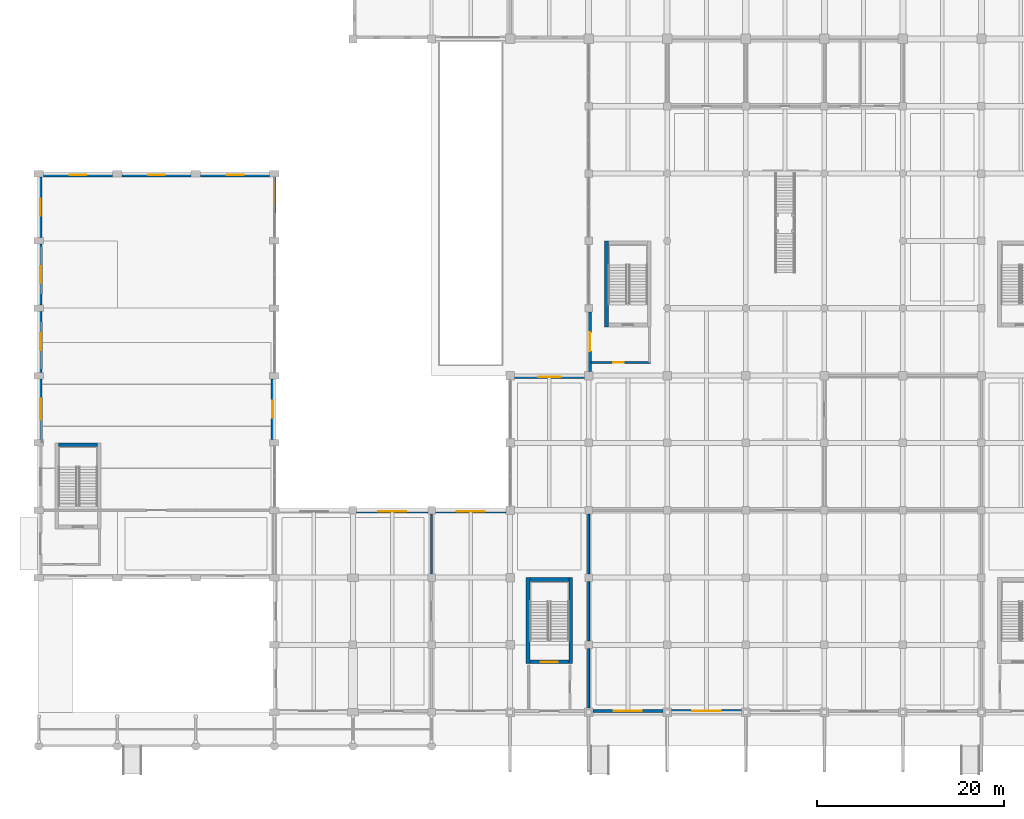
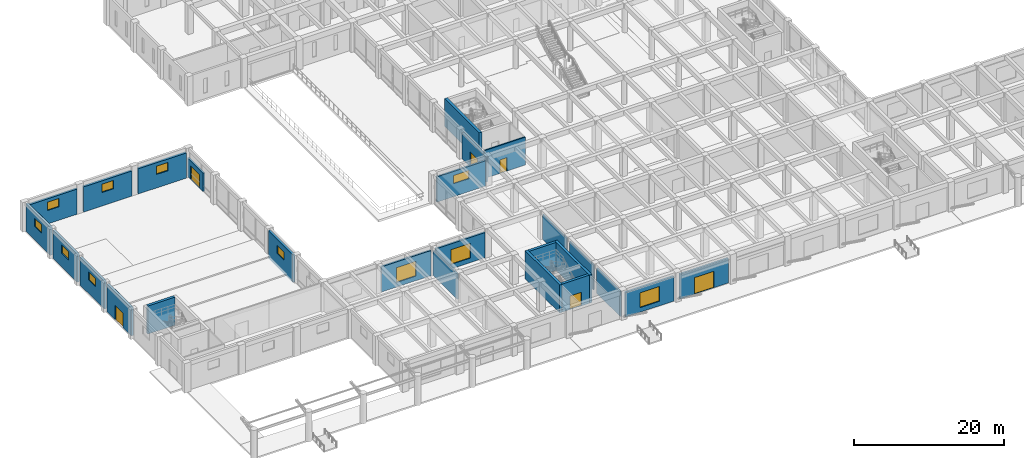
# One storey, part 26 of 49: 26 walls, 11 windows, 6 doors, 17 openings.
"""IFC4 building model written with IfcOpenShell, lengths in metres."""

from ifc_helpers import new_model, si_unit, direction, frame, frame_2d, origin, place, context, subcontext, project, spatial, rectangle, extrude, material, layer, layer_set, type_object, element, fill, save


model = new_model("IFC4")

# Units and contexts
model_context = context("Model", 3, precision=1e-05, world=origin(), true_north=direction((0.0, 1.0)))
body_context = subcontext(model_context, "Body", "Model", "MODEL_VIEW")
ifc_project = project(units=[si_unit("LENGTHUNIT", "METRE"), si_unit("AREAUNIT", "SQUARE_METRE"), si_unit("VOLUMEUNIT", "CUBIC_METRE"), si_unit("PLANEANGLEUNIT", "RADIAN"), si_unit("MASSUNIT", "GRAM", prefix="KILO")], contexts=[model_context])

# Site, building, storey
site_placement = place(None, origin())
site = spatial("IfcSite", under=ifc_project, at=site_placement, CompositionType="ELEMENT")
building_placement = place(site_placement, origin())
building = spatial("IfcBuilding", under=site, at=building_placement, Name="Kenerak Square Central Library", CompositionType="ELEMENT")
storey_placement = place(building_placement, origin())
storey = spatial("IfcBuildingStorey", under=building, at=storey_placement, Name="L00", CompositionType="ELEMENT", Elevation=0.0)

# Wall, opening, door
ifc_material_1 = material(Name="Concrete C40/50", Category="concrete")
ifc_layer_1 = layer(ifc_material_1, 0.35009765625)
ifc_layer_set_1 = layer_set([ifc_layer_1], Name="Concrete C40/50")
wall_type_1 = type_object("IfcWallType", Name="Auditorium Fluted Acoustic Wall AW-350 C40/50", PredefinedType="SOLIDWALL", material=ifc_layer_set_1)
wall_1_placement = place(storey_placement, frame((8.175048828125, 45.949951171875, 0.0), z_axis=(0.0, 0.0, 1.0), x_axis=(0.0, 1.0, 0.0)))
wall_1 = element("IfcWall", 1, at=wall_1_placement, inside=storey, type_object=wall_type_1, Name="Exterior Facade Wall L00 0097", PredefinedType="SOLIDWALL", context=body_context, shape_type="SweptSolid", body=[
    extrude(rectangle(XDim=6.5, YDim=0.35009765625, at=frame_2d((3.25, 0.0))), origin(), (0.0, 0.0, 1.0), 4.52490234375),
])
opening_1_placement = place(wall_1_placement, frame((2.14990234375, 0.0, 0.0)))
opening_1 = element("IfcOpeningElement", 2, at=opening_1_placement, cuts=wall_1, Name="Opening ED-03", PredefinedType="OPENING", context=body_context, shape_type="SweptSolid", body=[
    extrude(rectangle(XDim=2.199951171875, YDim=2.39990234375, at=frame_2d((1.10009765625, 1.199951171875))), frame((0.0, 0.18505859375, 0.0), z_axis=(0.0, -1.0, 0.0), x_axis=(1.0, 0.0, 0.0)), (0.0, 0.0, 1.0), 0.3701171875),
])
ifc_material_2 = material(Name="Anodised aluminium and laminated glass", Category="aluminium")
door_type_1 = type_object("IfcDoorType", Name="Auditorium Foyer Double Exit Door ED-2200x2400", OperationType="NOTDEFINED", PredefinedType="DOOR", material=ifc_material_2)
door_1_placement = place(opening_1_placement, origin())
door_1 = element("IfcDoor", 3, at=door_1_placement, inside=storey, type_object=door_type_1, Name="Exterior Entrance Door L00 016", OperationType="DOUBLE_DOOR_SINGLE_SWING", OverallHeight=2.39990234375, OverallWidth=2.199951171875, PredefinedType="DOOR", context=body_context, shape_type="SweptSolid", body=[
    extrude(rectangle(XDim=2.199951171875, YDim=2.39990234375, at=frame_2d((1.10009765625, 1.199951171875))), frame((0.0, 0.02490234375, 0.0), z_axis=(0.0, -1.0, 0.0), x_axis=(1.0, 0.0, 0.0)), (0.0, 0.0, 1.0), 0.050048828125),
])
fill(opening_1, door_1)

# Wall, opening, window
wall_2_placement = place(storey_placement, frame((8.175048828125, 53.14990234375, 0.0), z_axis=(0.0, 0.0, 1.0), x_axis=(0.0, 1.0, 0.0)))
wall_2 = element("IfcWall", 4, at=wall_2_placement, inside=storey, type_object=wall_type_1, Name="Exterior Facade Wall L00 0098", PredefinedType="SOLIDWALL", context=body_context, shape_type="SweptSolid", body=[
    extrude(rectangle(XDim=6.5, YDim=0.35009765625, at=frame_2d((3.25, 0.0))), origin(), (0.0, 0.0, 1.0), 4.52490234375),
])
opening_2_placement = place(wall_2_placement, frame((2.35009765625, 0.0, 2.199951171875)))
opening_2 = element("IfcOpeningElement", 5, at=opening_2_placement, cuts=wall_2, Name="Opening W-08", PredefinedType="OPENING", context=body_context, shape_type="SweptSolid", body=[
    extrude(rectangle(XDim=1.800048828125, YDim=1.35009765625, at=frame_2d((0.89990234375, 0.675048828125))), frame((0.0, 0.18505859375, 0.0), z_axis=(0.0, -1.0, 0.0), x_axis=(1.0, 0.0, 0.0)), (0.0, 0.0, 1.0), 0.3701171875),
])
ifc_material_3 = material(Name="Solar-control low-E laminated double glazing", Category="glass")
window_type_1 = type_object("IfcWindowType", Name="Acoustic Clerestory Window W-08 1800x1350", PartitioningType="SINGLE_PANEL", PredefinedType="WINDOW", material=ifc_material_3)
window_1_placement = place(opening_2_placement, origin())
window_1 = element("IfcWindow", 6, at=window_1_placement, inside=storey, type_object=window_type_1, Name="Window W-08 L00 0069", OverallHeight=1.35009765625, OverallWidth=1.800048828125, PartitioningType="SINGLE_PANEL", PredefinedType="WINDOW", context=body_context, shape_type="SweptSolid", body=[
    extrude(rectangle(XDim=1.800048828125, YDim=1.35009765625, at=frame_2d((0.89990234375, 0.675048828125))), frame((0.0, 0.030029296875, 0.0), z_axis=(0.0, -1.0, 0.0), x_axis=(1.0, 0.0, 0.0)), (0.0, 0.0, 1.0), 0.06005859375),
])
fill(opening_2, window_1)

wall_3_placement = place(storey_placement, frame((8.175048828125, 60.35009765625, 0.0), z_axis=(0.0, 0.0, 1.0), x_axis=(0.0, 1.0, 0.0)))
wall_3 = element("IfcWall", 7, at=wall_3_placement, inside=storey, type_object=wall_type_1, Name="Exterior Facade Wall L00 0099", PredefinedType="SOLIDWALL", context=body_context, shape_type="SweptSolid", body=[
    extrude(rectangle(XDim=6.5, YDim=0.35009765625, at=frame_2d((3.25, 0.0))), origin(), (0.0, 0.0, 1.0), 4.52490234375),
])
opening_3_placement = place(wall_3_placement, frame((2.35009765625, 0.0, 2.199951171875)))
opening_3 = element("IfcOpeningElement", 8, at=opening_3_placement, cuts=wall_3, Name="Opening W-08", PredefinedType="OPENING", context=body_context, shape_type="SweptSolid", body=[
    extrude(rectangle(XDim=1.800048828125, YDim=1.35009765625, at=frame_2d((0.89990234375, 0.675048828125))), frame((0.0, 0.18505859375, 0.0), z_axis=(0.0, -1.0, 0.0), x_axis=(1.0, 0.0, 0.0)), (0.0, 0.0, 1.0), 0.3701171875),
])
window_2_placement = place(opening_3_placement, origin())
window_2 = element("IfcWindow", 9, at=window_2_placement, inside=storey, type_object=window_type_1, Name="Window W-08 L00 0070", OverallHeight=1.35009765625, OverallWidth=1.800048828125, PartitioningType="SINGLE_PANEL", PredefinedType="WINDOW", context=body_context, shape_type="SweptSolid", body=[
    extrude(rectangle(XDim=1.800048828125, YDim=1.35009765625, at=frame_2d((0.89990234375, 0.675048828125))), frame((0.0, 0.030029296875, 0.0), z_axis=(0.0, -1.0, 0.0), x_axis=(1.0, 0.0, 0.0)), (0.0, 0.0, 1.0), 0.06005859375),
])
fill(opening_3, window_2)

wall_4_placement = place(storey_placement, frame((8.175048828125, 67.550048828125, 0.0), z_axis=(0.0, 0.0, 1.0), x_axis=(0.0, 1.0, 0.0)))
wall_4 = element("IfcWall", 10, at=wall_4_placement, inside=storey, type_object=wall_type_1, Name="Exterior Facade Wall L00 0100", PredefinedType="SOLIDWALL", context=body_context, shape_type="SweptSolid", body=[
    extrude(rectangle(XDim=6.5, YDim=0.35009765625, at=frame_2d((3.25, 0.0))), origin(), (0.0, 0.0, 1.0), 4.52490234375),
])
opening_4_placement = place(wall_4_placement, frame((2.35009765625, 0.0, 2.199951171875)))
opening_4 = element("IfcOpeningElement", 11, at=opening_4_placement, cuts=wall_4, Name="Opening W-08", PredefinedType="OPENING", context=body_context, shape_type="SweptSolid", body=[
    extrude(rectangle(XDim=1.800048828125, YDim=1.35009765625, at=frame_2d((0.89990234375, 0.675048828125))), frame((0.0, 0.18505859375, 0.0), z_axis=(0.0, -1.0, 0.0), x_axis=(1.0, 0.0, 0.0)), (0.0, 0.0, 1.0), 0.3701171875),
])
window_3_placement = place(opening_4_placement, origin())
window_3 = element("IfcWindow", 12, at=window_3_placement, inside=storey, type_object=window_type_1, Name="Window W-08 L00 0071", OverallHeight=1.35009765625, OverallWidth=1.800048828125, PartitioningType="SINGLE_PANEL", PredefinedType="WINDOW", context=body_context, shape_type="SweptSolid", body=[
    extrude(rectangle(XDim=1.800048828125, YDim=1.35009765625, at=frame_2d((0.89990234375, 0.675048828125))), frame((0.0, 0.030029296875, 0.0), z_axis=(0.0, -1.0, 0.0), x_axis=(1.0, 0.0, 0.0)), (0.0, 0.0, 1.0), 0.06005859375),
])
fill(opening_4, window_3)

wall_5_placement = place(storey_placement, frame((8.5, 74.22509765625, 0.0), z_axis=(0.0, 0.0, 1.0), x_axis=(1.0, 0.0, 0.0)))
wall_5 = element("IfcWall", 13, at=wall_5_placement, inside=storey, type_object=wall_type_1, Name="Exterior Facade Wall L00 0101", PredefinedType="SOLIDWALL", context=body_context, shape_type="SweptSolid", body=[
    extrude(rectangle(XDim=7.39990234375, YDim=0.35009765625, at=frame_2d((3.699951171875, 0.0))), origin(), (0.0, 0.0, 1.0), 4.10009765625),
])
opening_5_placement = place(wall_5_placement, frame((2.800048828125, 0.0, 2.199951171875)))
opening_5 = element("IfcOpeningElement", 14, at=opening_5_placement, cuts=wall_5, Name="Opening W-08", PredefinedType="OPENING", context=body_context, shape_type="SweptSolid", body=[
    extrude(rectangle(XDim=1.800048828125, YDim=1.35009765625, at=frame_2d((0.89990234375, 0.675048828125))), frame((0.0, 0.18505859375, 0.0), z_axis=(0.0, -1.0, 0.0), x_axis=(1.0, 0.0, 0.0)), (0.0, 0.0, 1.0), 0.3701171875),
])
window_4_placement = place(opening_5_placement, origin())
window_4 = element("IfcWindow", 15, at=window_4_placement, inside=storey, type_object=window_type_1, Name="Window W-08 L00 0072", OverallHeight=1.35009765625, OverallWidth=1.800048828125, PartitioningType="SINGLE_PANEL", PredefinedType="WINDOW", context=body_context, shape_type="SweptSolid", body=[
    extrude(rectangle(XDim=1.800048828125, YDim=1.35009765625, at=frame_2d((0.89990234375, 0.675048828125))), frame((0.0, 0.030029296875, 0.0), z_axis=(0.0, -1.0, 0.0), x_axis=(1.0, 0.0, 0.0)), (0.0, 0.0, 1.0), 0.06005859375),
])
fill(opening_5, window_4)

wall_6_placement = place(storey_placement, frame((16.89990234375, 74.22509765625, 0.0), z_axis=(0.0, 0.0, 1.0), x_axis=(1.0, 0.0, 0.0)))
wall_6 = element("IfcWall", 16, at=wall_6_placement, inside=storey, type_object=wall_type_1, Name="Exterior Facade Wall L00 0102", PredefinedType="SOLIDWALL", context=body_context, shape_type="SweptSolid", body=[
    extrude(rectangle(XDim=7.400146484375, YDim=0.35009765625, at=frame_2d((3.7001953125, 0.0))), origin(), (0.0, 0.0, 1.0), 4.10009765625),
])
opening_6_placement = place(wall_6_placement, frame((2.800048828125, 0.0, 2.199951171875)))
opening_6 = element("IfcOpeningElement", 17, at=opening_6_placement, cuts=wall_6, Name="Opening W-08", PredefinedType="OPENING", context=body_context, shape_type="SweptSolid", body=[
    extrude(rectangle(XDim=1.800048828125, YDim=1.35009765625, at=frame_2d((0.89990234375, 0.675048828125))), frame((0.0, 0.18505859375, 0.0), z_axis=(0.0, -1.0, 0.0), x_axis=(1.0, 0.0, 0.0)), (0.0, 0.0, 1.0), 0.3701171875),
])
window_5_placement = place(opening_6_placement, origin())
window_5 = element("IfcWindow", 18, at=window_5_placement, inside=storey, type_object=window_type_1, Name="Window W-08 L00 0073", OverallHeight=1.35009765625, OverallWidth=1.800048828125, PartitioningType="SINGLE_PANEL", PredefinedType="WINDOW", context=body_context, shape_type="SweptSolid", body=[
    extrude(rectangle(XDim=1.800048828125, YDim=1.35009765625, at=frame_2d((0.89990234375, 0.675048828125))), frame((0.0, 0.030029296875, 0.0), z_axis=(0.0, -1.0, 0.0), x_axis=(1.0, 0.0, 0.0)), (0.0, 0.0, 1.0), 0.06005859375),
])
fill(opening_6, window_5)

wall_7_placement = place(storey_placement, frame((25.300048828125, 74.22509765625, 0.0), z_axis=(0.0, 0.0, 1.0), x_axis=(1.0, 0.0, 0.0)))
wall_7 = element("IfcWall", 19, at=wall_7_placement, inside=storey, type_object=wall_type_1, Name="Exterior Facade Wall L00 0103", PredefinedType="SOLIDWALL", context=body_context, shape_type="SweptSolid", body=[
    extrude(rectangle(XDim=7.39990234375, YDim=0.35009765625, at=frame_2d((3.699951171875, 0.0))), origin(), (0.0, 0.0, 1.0), 4.10009765625),
])
opening_7_placement = place(wall_7_placement, frame((2.800048828125, 0.0, 2.199951171875)))
opening_7 = element("IfcOpeningElement", 20, at=opening_7_placement, cuts=wall_7, Name="Opening W-08", PredefinedType="OPENING", context=body_context, shape_type="SweptSolid", body=[
    extrude(rectangle(XDim=1.800048828125, YDim=1.35009765625, at=frame_2d((0.89990234375, 0.675048828125))), frame((0.0, 0.18505859375, 0.0), z_axis=(0.0, -1.0, 0.0), x_axis=(1.0, 0.0, 0.0)), (0.0, 0.0, 1.0), 0.3701171875),
])
window_6_placement = place(opening_7_placement, origin())
window_6 = element("IfcWindow", 21, at=window_6_placement, inside=storey, type_object=window_type_1, Name="Window W-08 L00 0074", OverallHeight=1.35009765625, OverallWidth=1.800048828125, PartitioningType="SINGLE_PANEL", PredefinedType="WINDOW", context=body_context, shape_type="SweptSolid", body=[
    extrude(rectangle(XDim=1.800048828125, YDim=1.35009765625, at=frame_2d((0.89990234375, 0.675048828125))), frame((0.0, 0.030029296875, 0.0), z_axis=(0.0, -1.0, 0.0), x_axis=(1.0, 0.0, 0.0)), (0.0, 0.0, 1.0), 0.06005859375),
])
fill(opening_7, window_6)

wall_8_placement = place(storey_placement, frame((33.02490234375, 52.449951171875, 0.0), z_axis=(0.0, 0.0, 1.0), x_axis=(0.0, -1.0, 0.0)))
wall_8 = element("IfcWall", 22, at=wall_8_placement, inside=storey, type_object=wall_type_1, Name="Exterior Facade Wall L00 0104", PredefinedType="SOLIDWALL", context=body_context, shape_type="SweptSolid", body=[
    extrude(rectangle(XDim=6.5, YDim=0.35009765625, at=frame_2d((3.25, 0.0))), origin(), (0.0, 0.0, 1.0), 4.52490234375),
])
opening_8_placement = place(wall_8_placement, frame((2.35009765625, 0.0, 2.199951171875)))
opening_8 = element("IfcOpeningElement", 23, at=opening_8_placement, cuts=wall_8, Name="Opening W-08", PredefinedType="OPENING", context=body_context, shape_type="SweptSolid", body=[
    extrude(rectangle(XDim=1.800048828125, YDim=1.35009765625, at=frame_2d((0.89990234375, 0.675048828125))), frame((0.0, 0.18505859375, 0.0), z_axis=(0.0, -1.0, 0.0), x_axis=(1.0, 0.0, 0.0)), (0.0, 0.0, 1.0), 0.3701171875),
])
window_7_placement = place(opening_8_placement, origin())
window_7 = element("IfcWindow", 24, at=window_7_placement, inside=storey, type_object=window_type_1, Name="Window W-08 L00 0075", OverallHeight=1.35009765625, OverallWidth=1.800048828125, PartitioningType="SINGLE_PANEL", PredefinedType="WINDOW", context=body_context, shape_type="SweptSolid", body=[
    extrude(rectangle(XDim=1.800048828125, YDim=1.35009765625, at=frame_2d((0.89990234375, 0.675048828125))), frame((0.0, 0.030029296875, 0.0), z_axis=(0.0, -1.0, 0.0), x_axis=(1.0, 0.0, 0.0)), (0.0, 0.0, 1.0), 0.06005859375),
])
fill(opening_8, window_7)

ifc_layer_2 = layer(ifc_material_1, 0.300048828125)
ifc_layer_set_2 = layer_set([ifc_layer_2], Name="Concrete C40/50")
wall_type_2 = type_object("IfcWallType", Name="Board-Marked Brutalist Facade Wall EW-300 C40/50", PredefinedType="SOLIDWALL", material=ifc_layer_set_2)
wall_9_placement = place(storey_placement, frame((58.85009765625, 52.64990234375, 0.0), z_axis=(0.0, 0.0, 1.0), x_axis=(1.0, 0.0, 0.0)))
wall_9 = element("IfcWall", 25, at=wall_9_placement, inside=storey, type_object=wall_type_2, Name="Exterior Facade Wall L00 0032", PredefinedType="SOLIDWALL", context=body_context, shape_type="SweptSolid", body=[
    extrude(rectangle(XDim=7.5, YDim=0.300048828125, at=frame_2d((3.75, 0.0))), origin(), (0.0, 0.0, 1.0), 4.10009765625),
])
opening_9_placement = place(wall_9_placement, frame((2.550048828125, 0.0, 2.10009765625)))
opening_9 = element("IfcOpeningElement", 26, at=opening_9_placement, cuts=wall_9, Name="Opening W-12", PredefinedType="OPENING", context=body_context, shape_type="SweptSolid", body=[
    extrude(rectangle(XDim=2.39990234375, YDim=1.35009765625, at=frame_2d((1.199951171875, 0.675048828125))), frame((0.0, 0.159912109375, 0.0), z_axis=(0.0, -1.0, 0.0), x_axis=(1.0, 0.0, 0.0)), (0.0, 0.0, 1.0), 0.320068359375),
])
window_type_2 = type_object("IfcWindowType", Name="Concourse Clerestory Window W-12 2400x1350", PartitioningType="SINGLE_PANEL", PredefinedType="WINDOW", material=ifc_material_3)
window_8_placement = place(opening_9_placement, origin())
window_8 = element("IfcWindow", 27, at=window_8_placement, inside=storey, type_object=window_type_2, Name="Window W-12 L00 0001", OverallHeight=1.35009765625, OverallWidth=2.39990234375, PartitioningType="SINGLE_PANEL", PredefinedType="WINDOW", context=body_context, shape_type="SweptSolid", body=[
    extrude(rectangle(XDim=2.39990234375, YDim=1.35009765625, at=frame_2d((1.199951171875, 0.675048828125))), frame((0.0, 0.030029296875, 0.0), z_axis=(0.0, -1.0, 0.0), x_axis=(1.0, 0.0, 0.0)), (0.0, 0.0, 1.0), 0.06005859375),
])
fill(opening_9, window_8)

# Wall, opening, door
wall_10_placement = place(storey_placement, frame((66.949951171875, 53.25, 0.0), z_axis=(0.0, 0.0, 1.0), x_axis=(0.0, 1.0, 0.0)))
wall_10 = element("IfcWall", 28, at=wall_10_placement, inside=storey, type_object=wall_type_2, Name="Exterior Facade Wall L00 0033", PredefinedType="SOLIDWALL", context=body_context, shape_type="SweptSolid", body=[
    extrude(rectangle(XDim=6.35009765625, YDim=0.300048828125, at=frame_2d((3.175048828125, 0.0))), origin(), (0.0, 0.0, 1.0), 4.199951171875),
])
opening_10_placement = place(wall_10_placement, frame((2.175048828125, 0.0, 0.0)))
opening_10 = element("IfcOpeningElement", 29, at=opening_10_placement, cuts=wall_10, Name="Opening ED-04", PredefinedType="OPENING", context=body_context, shape_type="SweptSolid", body=[
    extrude(rectangle(XDim=2.0, YDim=2.39990234375, at=frame_2d((1.0, 1.199951171875))), frame((0.0, 0.159912109375, 0.0), z_axis=(0.0, -1.0, 0.0), x_axis=(1.0, 0.0, 0.0)), (0.0, 0.0, 1.0), 0.320068359375),
])
door_type_2 = type_object("IfcDoorType", Name="Cafe and Bookshop Entrance Door ED-2000x2400", OperationType="NOTDEFINED", PredefinedType="DOOR", material=ifc_material_2)
door_2_placement = place(opening_10_placement, origin())
door_2 = element("IfcDoor", 30, at=door_2_placement, inside=storey, type_object=door_type_2, Name="Exterior Entrance Door L00 001", OperationType="DOUBLE_DOOR_SINGLE_SWING", OverallHeight=2.39990234375, OverallWidth=2.0, PredefinedType="DOOR", context=body_context, shape_type="SweptSolid", body=[
    extrude(rectangle(XDim=2.0, YDim=2.39990234375, at=frame_2d((1.0, 1.199951171875))), frame((0.0, 0.02490234375, 0.0), z_axis=(0.0, -1.0, 0.0), x_axis=(1.0, 0.0, 0.0)), (0.0, 0.0, 1.0), 0.050048828125),
])
fill(opening_10, door_2)

wall_11_placement = place(storey_placement, frame((83.14990234375, 16.949951171875, 0.0), z_axis=(0.0, 0.0, 1.0), x_axis=(-1.0, 0.0, 0.0)))
wall_11 = element("IfcWall", 31, at=wall_11_placement, inside=storey, type_object=wall_type_2, Name="Exterior Facade Wall L00 0084", PredefinedType="SOLIDWALL", context=body_context, shape_type="SweptSolid", body=[
    extrude(rectangle(XDim=7.5, YDim=0.300048828125, at=frame_2d((3.75, 0.0))), origin(), (0.0, 0.0, 1.0), 4.0),
])
opening_11_placement = place(wall_11_placement, frame((2.25, 0.0, 0.0)))
opening_11 = element("IfcOpeningElement", 32, at=opening_11_placement, cuts=wall_11, Name="Opening ED-01", PredefinedType="OPENING", context=body_context, shape_type="SweptSolid", body=[
    extrude(rectangle(XDim=3.0, YDim=2.699951171875, at=frame_2d((1.5, 1.35009765625))), frame((0.0, 0.159912109375, 0.0), z_axis=(0.0, -1.0, 0.0), x_axis=(1.0, 0.0, 0.0)), (0.0, 0.0, 1.0), 0.320068359375),
])
door_type_3 = type_object("IfcDoorType", Name="Main Square Concourse Double Door ED-3000x2700", OperationType="NOTDEFINED", PredefinedType="DOOR", material=ifc_material_2)
door_3_placement = place(opening_11_placement, origin())
door_3 = element("IfcDoor", 33, at=door_3_placement, inside=storey, type_object=door_type_3, Name="Exterior Entrance Door L00 012", OperationType="DOUBLE_DOOR_SINGLE_SWING", OverallHeight=2.699951171875, OverallWidth=3.0, PredefinedType="DOOR", context=body_context, shape_type="SweptSolid", body=[
    extrude(rectangle(XDim=3.0, YDim=2.699951171875, at=frame_2d((1.5, 1.35009765625))), frame((0.0, 0.02490234375, 0.0), z_axis=(0.0, -1.0, 0.0), x_axis=(1.0, 0.0, 0.0)), (0.0, 0.0, 1.0), 0.050048828125),
])
fill(opening_11, door_3)

# Wall, opening, window
wall_12_placement = place(storey_placement, frame((74.75, 16.949951171875, 0.0), z_axis=(0.0, 0.0, 1.0), x_axis=(-1.0, 0.0, 0.0)))
wall_12 = element("IfcWall", 34, at=wall_12_placement, inside=storey, type_object=wall_type_2, Name="Exterior Facade Wall L00 0085", PredefinedType="SOLIDWALL", context=body_context, shape_type="SweptSolid", body=[
    extrude(rectangle(XDim=7.5, YDim=0.300048828125, at=frame_2d((3.75, 0.0))), origin(), (0.0, 0.0, 1.0), 4.0),
])
opening_12_placement = place(wall_12_placement, frame((2.25, 0.0, 0.75)))
opening_12 = element("IfcOpeningElement", 35, at=opening_12_placement, cuts=wall_12, Name="Opening W-14", PredefinedType="OPENING", context=body_context, shape_type="SweptSolid", body=[
    extrude(rectangle(XDim=3.0, YDim=2.39990234375, at=frame_2d((1.5, 1.199951171875))), frame((0.0, 0.159912109375, 0.0), z_axis=(0.0, -1.0, 0.0), x_axis=(1.0, 0.0, 0.0)), (0.0, 0.0, 1.0), 0.320068359375),
])
window_type_3 = type_object("IfcWindowType", Name="Street Cafe Display Window W-14 3000x2400", PartitioningType="SINGLE_PANEL", PredefinedType="WINDOW", material=ifc_material_3)
window_9_placement = place(opening_12_placement, origin())
window_9 = element("IfcWindow", 36, at=window_9_placement, inside=storey, type_object=window_type_3, Name="Window W-14 L00 0060", OverallHeight=2.39990234375, OverallWidth=3.0, PartitioningType="SINGLE_PANEL", PredefinedType="WINDOW", context=body_context, shape_type="SweptSolid", body=[
    extrude(rectangle(XDim=3.0, YDim=2.39990234375, at=frame_2d((1.5, 1.199951171875))), frame((0.0, 0.030029296875, 0.0), z_axis=(0.0, -1.0, 0.0), x_axis=(1.0, 0.0, 0.0)), (0.0, 0.0, 1.0), 0.06005859375),
])
fill(opening_12, window_9)

wall_13_placement = place(storey_placement, frame((42.0, 38.25, 0.0), z_axis=(0.0, 0.0, 1.0), x_axis=(1.0, 0.0, 0.0)))
wall_13 = element("IfcWall", 37, at=wall_13_placement, inside=storey, type_object=wall_type_2, Name="Exterior Facade Wall L00 0106", PredefinedType="SOLIDWALL", context=body_context, shape_type="SweptSolid", body=[
    extrude(rectangle(XDim=7.60009765625, YDim=0.300048828125, at=frame_2d((3.800048828125, 0.0))), origin(), (0.0, 0.0, 1.0), 4.10009765625),
])
opening_13_placement = place(wall_13_placement, frame((2.300048828125, 0.0, 0.75)))
opening_13 = element("IfcOpeningElement", 38, at=opening_13_placement, cuts=wall_13, Name="Opening W-14", PredefinedType="OPENING", context=body_context, shape_type="SweptSolid", body=[
    extrude(rectangle(XDim=3.0, YDim=2.39990234375, at=frame_2d((1.5, 1.199951171875))), frame((0.0, 0.159912109375, 0.0), z_axis=(0.0, -1.0, 0.0), x_axis=(1.0, 0.0, 0.0)), (0.0, 0.0, 1.0), 0.320068359375),
])
window_10_placement = place(opening_13_placement, origin())
window_10 = element("IfcWindow", 39, at=window_10_placement, inside=storey, type_object=window_type_3, Name="Window W-14 L00 0077", OverallHeight=2.39990234375, OverallWidth=3.0, PartitioningType="SINGLE_PANEL", PredefinedType="WINDOW", context=body_context, shape_type="SweptSolid", body=[
    extrude(rectangle(XDim=3.0, YDim=2.39990234375, at=frame_2d((1.5, 1.199951171875))), frame((0.0, 0.030029296875, 0.0), z_axis=(0.0, -1.0, 0.0), x_axis=(1.0, 0.0, 0.0)), (0.0, 0.0, 1.0), 0.06005859375),
])
fill(opening_13, window_10)

wall_14_placement = place(storey_placement, frame((50.39990234375, 38.25, 0.0), z_axis=(0.0, 0.0, 1.0), x_axis=(1.0, 0.0, 0.0)))
wall_14 = element("IfcWall", 40, at=wall_14_placement, inside=storey, type_object=wall_type_2, Name="Exterior Facade Wall L00 0107", PredefinedType="SOLIDWALL", context=body_context, shape_type="SweptSolid", body=[
    extrude(rectangle(XDim=7.550048828125, YDim=0.300048828125, at=frame_2d((3.77490234375, 0.0))), origin(), (0.0, 0.0, 1.0), 4.10009765625),
])
opening_14_placement = place(wall_14_placement, frame((2.27490234375, 0.0, 0.75)))
opening_14 = element("IfcOpeningElement", 41, at=opening_14_placement, cuts=wall_14, Name="Opening W-14", PredefinedType="OPENING", context=body_context, shape_type="SweptSolid", body=[
    extrude(rectangle(XDim=3.0, YDim=2.39990234375, at=frame_2d((1.5, 1.199951171875))), frame((0.0, 0.159912109375, 0.0), z_axis=(0.0, -1.0, 0.0), x_axis=(1.0, 0.0, 0.0)), (0.0, 0.0, 1.0), 0.320068359375),
])
window_11_placement = place(opening_14_placement, origin())
window_11 = element("IfcWindow", 42, at=window_11_placement, inside=storey, type_object=window_type_3, Name="Window W-14 L00 0078", OverallHeight=2.39990234375, OverallWidth=3.0, PartitioningType="SINGLE_PANEL", PredefinedType="WINDOW", context=body_context, shape_type="SweptSolid", body=[
    extrude(rectangle(XDim=3.0, YDim=2.39990234375, at=frame_2d((1.5, 1.199951171875))), frame((0.0, 0.030029296875, 0.0), z_axis=(0.0, -1.0, 0.0), x_axis=(1.0, 0.0, 0.0)), (0.0, 0.0, 1.0), 0.06005859375),
])
fill(opening_14, window_11)

# Wall, opening, door
wall_15_placement = place(storey_placement, frame((33.199951171875, 70.199951171875, 0.0), z_axis=(0.0, 0.0, 1.0), x_axis=(0.0, 1.0, 0.0)))
wall_15 = element("IfcWall", 43, at=wall_15_placement, inside=storey, type_object=wall_type_2, Name="Monsoon Court North Screen Wall", PredefinedType="SOLIDWALL", context=body_context, shape_type="SweptSolid", body=[
    extrude(rectangle(XDim=4.199951171875, YDim=0.300048828125, at=frame_2d((2.10009765625, 0.0))), origin(), (0.0, 0.0, 1.0), 3.0),
])
opening_15_placement = place(wall_15_placement, frame((0.89990234375, 0.0, 0.0)))
opening_15 = element("IfcOpeningElement", 44, at=opening_15_placement, cuts=wall_15, Name="Opening CG-01", PredefinedType="OPENING", context=body_context, shape_type="SweptSolid", body=[
    extrude(rectangle(XDim=2.39990234375, YDim=2.199951171875, at=frame_2d((1.199951171875, 1.10009765625))), frame((0.0, 0.159912109375, 0.0), z_axis=(0.0, -1.0, 0.0), x_axis=(1.0, 0.0, 0.0)), (0.0, 0.0, 1.0), 0.320068359375),
])
ifc_material_4 = material(Name="Steel S355", Category="steel")
door_type_4 = type_object("IfcDoorType", Name="Courtyard Perimeter Security Gate CG-2400x2200", OperationType="NOTDEFINED", PredefinedType="GATE", material=ifc_material_4)
door_4_placement = place(opening_15_placement, origin())
door_4 = element("IfcDoor", 45, at=door_4_placement, inside=storey, type_object=door_type_4, Name="Monsoon Court North Screen Security Gate CG-01 02", OperationType="DOUBLE_DOOR_SINGLE_SWING", OverallHeight=2.199951171875, OverallWidth=2.39990234375, PredefinedType="GATE", context=body_context, shape_type="SweptSolid", body=[
    extrude(rectangle(XDim=2.39990234375, YDim=2.199951171875, at=frame_2d((1.199951171875, 1.10009765625))), frame((0.0, 0.02490234375, 0.0), z_axis=(0.0, -1.0, 0.0), x_axis=(1.0, 0.0, 0.0)), (0.0, 0.0, 1.0), 0.050048828125),
])
fill(opening_15, door_4)

# Walls
ifc_layer_3 = layer(ifc_material_1, 0.39990234375)
ifc_layer_set_3 = layer_set([ifc_layer_3], Name="Concrete C40/50")
wall_type_3 = type_object("IfcWallType", Name="Core Shear Wall CW-400 C40/50", PredefinedType="SHEAR", material=ifc_layer_set_3)
for number, where, z_axis, x_axis, name in (
    (46, (60.320068359375, 22.0, 0.0), (0.0, 0.0, 1.0), (0.0, 1.0, 0.0), "Core Wall CW-C4 L00 West"),
    (47, (64.8798828125, 31.199951171875, 0.0), (0.0, 0.0, 1.0), (0.0, -1.0, 0.0), "Core Wall CW-C4 L00 East"),
):
    element("IfcWall", number, at=place(storey_placement, frame(where, z_axis=z_axis, x_axis=x_axis)), inside=storey, type_object=wall_type_3, Name=name, PredefinedType="SHEAR", context=body_context, shape_type="SweptSolid", body=[
        extrude(rectangle(XDim=9.199951171875, YDim=0.39990234375, at=frame_2d((4.60009765625, 0.0))), origin(), (0.0, 0.0, 1.0), 4.574951171875),
    ])

# Wall, opening, door
wall_16_placement = place(storey_placement, frame((64.679931640625, 22.199951171875, 0.0), z_axis=(0.0, 0.0, 1.0), x_axis=(-1.0, 0.0, 0.0)))
wall_16 = element("IfcWall", 48, at=wall_16_placement, inside=storey, type_object=wall_type_3, Name="Core Wall CW-C4 L00 South", PredefinedType="SHEAR", context=body_context, shape_type="SweptSolid", body=[
    extrude(rectangle(XDim=4.159912109375, YDim=0.39990234375, at=frame_2d((2.080078125, 0.0))), origin(), (0.0, 0.0, 1.0), 4.574951171875),
])
opening_16_placement = place(wall_16_placement, frame((1.179931640625, 0.0, 0.0)))
opening_16 = element("IfcOpeningElement", 49, at=opening_16_placement, cuts=wall_16, Name="Opening D-EX1", PredefinedType="OPENING", context=body_context, shape_type="SweptSolid", body=[
    extrude(rectangle(XDim=1.800048828125, YDim=2.199951171875, at=frame_2d((0.89990234375, 1.10009765625))), frame((0.0, 0.2099609375, 0.0), z_axis=(0.0, -1.0, 0.0), x_axis=(1.0, 0.0, 0.0)), (0.0, 0.0, 1.0), 0.419921875),
])
door_type_5 = type_object("IfcDoorType", Name="Stair Final Exit Double Door ED-1800x2200", OperationType="NOTDEFINED", PredefinedType="DOOR", material=ifc_material_4)
door_5_placement = place(opening_16_placement, frame((1.800048828125, 0.0, 0.0), z_axis=(0.0, 0.0, 1.0), x_axis=(-1.0, 0.0, 0.0)))
door_5 = element("IfcDoor", 50, at=door_5_placement, inside=storey, type_object=door_type_5, Name="Final Exit Discharge Door ST-04", OperationType="DOUBLE_DOOR_SINGLE_SWING", OverallHeight=2.199951171875, OverallWidth=1.800048828125, PredefinedType="DOOR", context=body_context, shape_type="SweptSolid", body=[
    extrude(rectangle(XDim=1.800048828125, YDim=2.199951171875, at=frame_2d((0.89990234375, 1.10009765625))), frame((0.0, 0.02490234375, 0.0), z_axis=(0.0, -1.0, 0.0), x_axis=(1.0, 0.0, 0.0)), (0.0, 0.0, 1.0), 0.050048828125),
])
fill(opening_16, door_5)

# Walls
for number, where, z_axis, x_axis, name in (
    (51, (60.52001953125, 31.0, 0.0), (0.0, 0.0, 1.0), (1.0, 0.0, 0.0), "Core Wall CW-C4 L00 North"),
    (52, (10.1201171875, 45.39990234375, 0.0), (0.0, 0.0, 1.0), (1.0, 0.0, 0.0), "Core Wall CW-C6 L00 North"),
):
    element("IfcWall", number, at=place(storey_placement, frame(where, z_axis=z_axis, x_axis=x_axis)), inside=storey, type_object=wall_type_3, Name=name, PredefinedType="SHEAR", context=body_context, shape_type="SweptSolid", body=[
        extrude(rectangle(XDim=4.159912109375, YDim=0.39990234375, at=frame_2d((2.080078125, 0.0))), origin(), (0.0, 0.0, 1.0), 4.574951171875),
    ])
wall_17_placement = place(storey_placement, frame((68.719970703125, 58.0, 0.0), z_axis=(0.0, 0.0, 1.0), x_axis=(0.0, 1.0, 0.0)))
element("IfcWall", 53, at=wall_17_placement, inside=storey, type_object=wall_type_3, Name="Core Wall CW-C8 L00 West", PredefinedType="SHEAR", context=body_context, shape_type="SweptSolid", body=[
    extrude(rectangle(XDim=9.199951171875, YDim=0.39990234375, at=frame_2d((4.60009765625, 0.0))), origin(), (0.0, 0.0, 1.0), 4.574951171875),
])

# Wall, opening, door
ifc_layer_4 = layer(ifc_material_1, 0.199951171875)
ifc_layer_set_4 = layer_set([ifc_layer_4], Name="Concrete C40/50")
wall_type_4 = type_object("IfcWallType", Name="Lobby Compartment Wall LW-200 C40/50", PredefinedType="SOLIDWALL", material=ifc_layer_set_4)
wall_18_placement = place(storey_placement, frame((67.050048828125, 54.199951171875, 0.0), z_axis=(0.0, 0.0, 1.0), x_axis=(1.0, 0.0, 0.0)))
wall_18 = element("IfcWall", 54, at=wall_18_placement, inside=storey, type_object=wall_type_4, Name="Protected Exit Lobby South Wall ST-08", PredefinedType="SOLIDWALL", context=body_context, shape_type="SweptSolid", body=[
    extrude(rectangle(XDim=6.349853515625, YDim=0.199951171875, at=frame_2d((3.1748046875, 0.0))), origin(), (0.0, 0.0, 1.0), 4.52490234375),
])
opening_17_placement = place(wall_18_placement, frame((2.39990234375, 0.0, 0.0)))
opening_17 = element("IfcOpeningElement", 55, at=opening_17_placement, cuts=wall_18, Name="Opening D-ST1", PredefinedType="OPENING", context=body_context, shape_type="SweptSolid", body=[
    extrude(rectangle(XDim=1.10009765625, YDim=2.199951171875, at=frame_2d((0.550048828125, 1.10009765625))), frame((0.0, 0.10986328125, 0.0), z_axis=(0.0, -1.0, 0.0), x_axis=(1.0, 0.0, 0.0)), (0.0, 0.0, 1.0), 0.219970703125),
])
door_type_6 = type_object("IfcDoorType", Name="Protected Stair Fire Door FD-1100x2200 FD60S", OperationType="NOTDEFINED", PredefinedType="DOOR", material=ifc_material_4)
door_6_placement = place(opening_17_placement, origin())
door_6 = element("IfcDoor", 56, at=door_6_placement, inside=storey, type_object=door_type_6, Name="Protected Exit Lobby Entry Door ST-08", OperationType="SINGLE_SWING_LEFT", OverallHeight=2.199951171875, OverallWidth=1.10009765625, PredefinedType="DOOR", context=body_context, shape_type="SweptSolid", body=[
    extrude(rectangle(XDim=1.10009765625, YDim=2.199951171875, at=frame_2d((0.550048828125, 1.10009765625))), frame((0.0, 0.02490234375, 0.0), z_axis=(0.0, -1.0, 0.0), x_axis=(1.0, 0.0, 0.0)), (0.0, 0.0, 1.0), 0.050048828125),
])
fill(opening_17, door_6)

# Walls
ifc_material_5 = material(Name="Precast concrete C40/50", Category="concrete")
ifc_layer_5 = layer(ifc_material_5, 0.199951171875)
ifc_layer_set_5 = layer_set([ifc_layer_5], Name="Precast concrete C40/50")
wall_type_5 = type_object("IfcWallType", Name="Protected Corridor Fire Wall IW-200 C40/50", PredefinedType="PARTITIONING", material=ifc_layer_set_5)
wall_19_placement = place(storey_placement, frame((50.0, 38.0, 0.0), z_axis=(0.0, 0.0, 1.0), x_axis=(0.0, -1.0, 0.0)))
element("IfcWall", 57, at=wall_19_placement, inside=storey, type_object=wall_type_5, Name="Interior Wall IW-L00-04-E4-B1", PredefinedType="PARTITIONING", context=body_context, shape_type="SweptSolid", body=[
    extrude(rectangle(XDim=6.39990234375, YDim=0.199951171875, at=frame_2d((3.199951171875, 0.0))), origin(), (0.0, 0.0, 1.0), 4.050048828125),
])
wall_20_placement = place(storey_placement, frame((66.800048828125, 17.25, 0.0), z_axis=(0.0, 0.0, 1.0), x_axis=(0.0, 1.0, 0.0)))
element("IfcWall", 58, at=wall_20_placement, inside=storey, type_object=wall_type_5, Name="Interior Wall IW-L00-01-W2-B1", PredefinedType="PARTITIONING", context=body_context, shape_type="SweptSolid", body=[
    extrude(rectangle(XDim=6.35009765625, YDim=0.199951171875, at=frame_2d((3.175048828125, 0.0))), origin(), (0.0, 0.0, 1.0), 4.050048828125),
])
wall_21_placement = place(storey_placement, frame((66.800048828125, 24.39990234375, 0.0), z_axis=(0.0, 0.0, 1.0), x_axis=(0.0, 1.0, 0.0)))
element("IfcWall", 59, at=wall_21_placement, inside=storey, type_object=wall_type_5, Name="Interior Wall IW-L00-01-W2-B2", PredefinedType="PARTITIONING", context=body_context, shape_type="SweptSolid", body=[
    extrude(rectangle(XDim=6.400146484375, YDim=0.199951171875, at=frame_2d((3.2001953125, 0.0))), origin(), (0.0, 0.0, 1.0), 4.050048828125),
])
wall_22_placement = place(storey_placement, frame((66.800048828125, 31.60009765625, 0.0), z_axis=(0.0, 0.0, 1.0), x_axis=(0.0, 1.0, 0.0)))
element("IfcWall", 60, at=wall_22_placement, inside=storey, type_object=wall_type_5, Name="Interior Wall IW-L00-01-W2-B3", PredefinedType="PARTITIONING", context=body_context, shape_type="SweptSolid", body=[
    extrude(rectangle(XDim=6.39990234375, YDim=0.199951171875, at=frame_2d((3.199951171875, 0.0))), origin(), (0.0, 0.0, 1.0), 4.050048828125),
])

save(model, "model.ifc")
